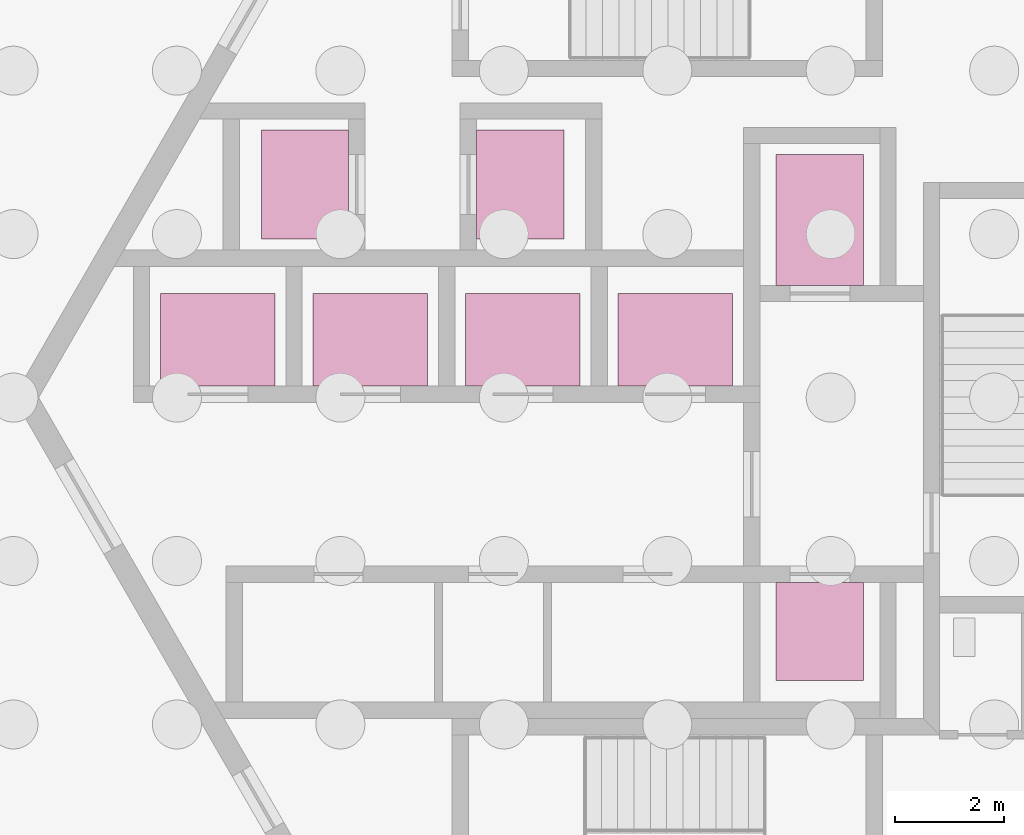
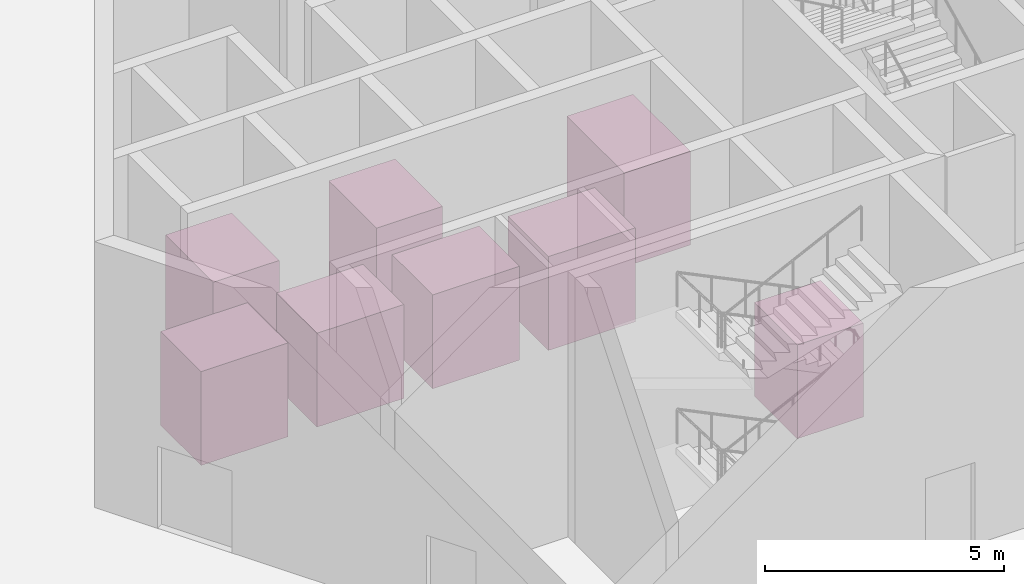
# One storey, part 27 of 27: 8 transport elements.
"""IFC4 building model written with IfcOpenShell, lengths in metres."""

from ifc_helpers import new_model, si_unit, direction, frame, origin, origin_2d, place, context, subcontext, project, spatial, rectangle, extrude, source, transform, mapped, material, type_object, element, save


model = new_model("IFC4")

# Units and contexts
model_context = context("Model", 3, precision=1e-05, world=origin(), true_north=direction((0.0, 1.0)))
body_context = subcontext(model_context, "Body", "Model", "MODEL_VIEW")
ifc_project = project(units=[si_unit("LENGTHUNIT", "METRE"), si_unit("AREAUNIT", "SQUARE_METRE"), si_unit("VOLUMEUNIT", "CUBIC_METRE"), si_unit("PLANEANGLEUNIT", "RADIAN"), si_unit("MASSUNIT", "GRAM", prefix="KILO")], contexts=[model_context])

# Site, building, storey
site_placement = place(None, origin())
site = spatial("IfcSite", under=ifc_project, at=site_placement, CompositionType="ELEMENT")
building_placement = place(site_placement, origin())
building = spatial("IfcBuilding", under=site, at=building_placement, Name="Triune Harvest Tower", CompositionType="ELEMENT")
storey_placement = place(building_placement, origin())
storey = spatial("IfcBuildingStorey", under=building, at=storey_placement, Name="L00", CompositionType="ELEMENT", Elevation=0.0)

# Transport elements
ifc_material_1 = material(Name="Stainless steel AISI 304", Category="steel")
transport_element_type_1 = type_object("IfcTransportElementType", Name="Firefighting lift 1600 x 1800", PredefinedType="ELEVATOR", material=ifc_material_1)
transport_element_1_placement = place(storey_placement, frame((2.800048828125, -4.2900390625, 0.0), z_axis=(0.0, 0.0, 1.0), x_axis=(1.0, 0.0, 0.0)))
element("IfcTransportElement", 1, at=transport_element_1_placement, inside=storey, type_object=transport_element_type_1, Name="Firefighting lift FF-2", PredefinedType="ELEVATOR", context=body_context, shape_type="SweptSolid", body=[
    extrude(rectangle(XDim=1.60009765625, YDim=1.800048828125, at=origin_2d()), origin(), (0.0, 0.0, 1.0), 2.39990234375),
])
ifc_material_2 = material(Name="Stainless steel AISI 304", Category="steel")
transport_element_type_2 = type_object("IfcTransportElementType", Name="Firefighting lift 1600 x 2400", PredefinedType="ELEVATOR", material=ifc_material_2)
transport_element_2_placement = place(storey_placement, frame((2.800048828125, 3.260009765625, 0.0), z_axis=(0.0, 0.0, 1.0), x_axis=(1.0, 0.0, 0.0)))
element("IfcTransportElement", 2, at=transport_element_2_placement, inside=storey, type_object=transport_element_type_2, Name="Firefighting lift FF-1", PredefinedType="ELEVATOR", context=body_context, shape_type="SweptSolid", body=[
    extrude(rectangle(XDim=1.60009765625, YDim=2.39990234375, at=origin_2d()), origin(), (0.0, 0.0, 1.0), 2.39990234375),
])
ifc_material_3 = material(Name="Stainless steel AISI 304", Category="steel")
transport_element_type_3 = type_object("IfcTransportElementType", Name="Low-rise passenger lift 2100 x 1700", PredefinedType="ELEVATOR", material=ifc_material_3)
shared_shape_1 = source(origin(), body_context, "Body", "SweptSolid", [
    extrude(rectangle(XDim=2.10009765625, YDim=1.699951171875, at=origin_2d()), origin(), (0.0, 0.0, 1.0), 2.39990234375),
])
for number, where, z_axis, x_axis, name in (
    (3, (-8.25, 1.06005859375, 0.0), (0.0, 0.0, 1.0), (1.0, 0.0, 0.0), "Low-rise passenger lift LR-1"),
    (4, (-5.449951171875, 1.06005859375, 0.0), (0.0, 0.0, 1.0), (1.0, 0.0, 0.0), "Low-rise passenger lift LR-2"),
    (5, (-2.64990234375, 1.06005859375, 0.0), (0.0, 0.0, 1.0), (1.0, 0.0, 0.0), "Low-rise passenger lift LR-3"),
    (6, (0.14990234375, 1.06005859375, 0.0), (0.0, 0.0, 1.0), (1.0, 0.0, 0.0), "Low-rise passenger lift LR-4"),
):
    element("IfcTransportElement", number, at=place(storey_placement, frame(where, z_axis=z_axis, x_axis=x_axis)), inside=storey, type_object=transport_element_type_3, Name=name, PredefinedType="ELEVATOR", context=body_context, shape_type="MappedRepresentation", body=[
        mapped(shared_shape_1, transform((0.0, 0.0, 0.0), scale=1.0)),
    ])
ifc_material_4 = material(Name="Stainless steel AISI 304", Category="steel")
transport_element_type_4 = type_object("IfcTransportElementType", Name="Service lift 2000 x 1600", PredefinedType="ELEVATOR", material=ifc_material_4)
shared_shape_2 = source(origin(), body_context, "Body", "SweptSolid", [
    extrude(rectangle(XDim=1.60009765625, YDim=2.0, at=origin_2d()), origin(), (0.0, 0.0, 1.0), 2.39990234375),
])
for number, where, z_axis, x_axis, name in (
    (7, (-6.64990234375, 3.909912109375, 0.0), (0.0, 0.0, 1.0), (1.0, 0.0, 0.0), "Service lift SV-1"),
    (8, (-2.699951171875, 3.909912109375, 0.0), (0.0, 0.0, 1.0), (1.0, 0.0, 0.0), "Service lift SV-2"),
):
    element("IfcTransportElement", number, at=place(storey_placement, frame(where, z_axis=z_axis, x_axis=x_axis)), inside=storey, type_object=transport_element_type_4, Name=name, PredefinedType="ELEVATOR", context=body_context, shape_type="MappedRepresentation", body=[
        mapped(shared_shape_2, transform((0.0, 0.0, 0.0), scale=1.0)),
    ])

save(model, "model.ifc")
